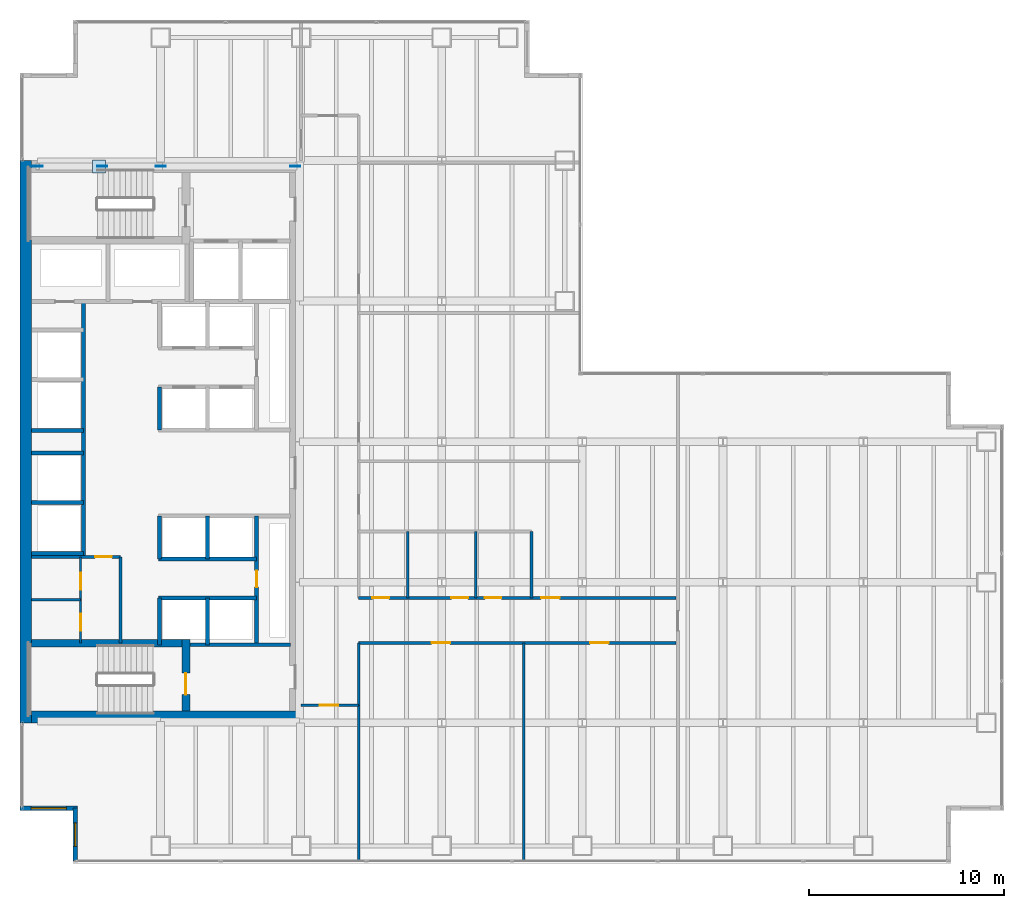
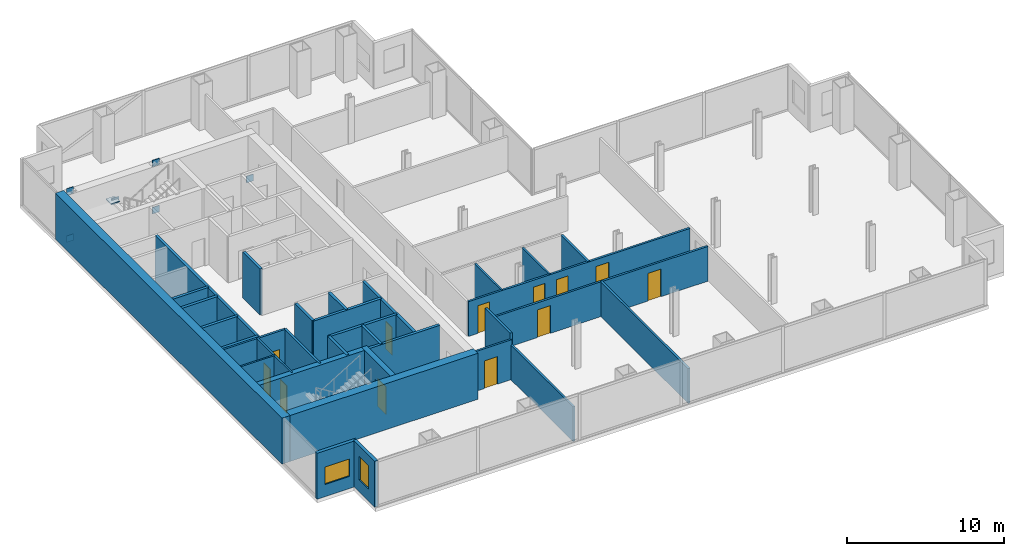
# One storey, part 20 of 23: 33 walls, 12 doors, 7 plates, 2 windows, 14 openings.
"""IFC4 building model written with IfcOpenShell, lengths in metres."""

from ifc_helpers import new_model, si_unit, direction, frame, frame_2d, origin, origin_2d, place, context, subcontext, project, spatial, rectangle, extrude, material, layer, layer_set, type_object, element, fill, save


model = new_model("IFC4")

# Units and contexts
model_context = context("Model", 3, precision=1e-05, world=origin(), true_north=direction((0.0, 1.0)))
body_context = subcontext(model_context, "Body", "Model", "MODEL_VIEW")
ifc_project = project(units=[si_unit("LENGTHUNIT", "METRE"), si_unit("AREAUNIT", "SQUARE_METRE"), si_unit("VOLUMEUNIT", "CUBIC_METRE"), si_unit("PLANEANGLEUNIT", "RADIAN"), si_unit("MASSUNIT", "GRAM", prefix="KILO")], contexts=[model_context])

# Site, building, storey
site_placement = place(None, origin())
site = spatial("IfcSite", under=ifc_project, at=site_placement, CompositionType="ELEMENT")
building_placement = place(site_placement, origin())
building = spatial("IfcBuilding", under=site, at=building_placement, Name="Cobrela Telecom Tower", CompositionType="ELEMENT")
storey_placement = place(building_placement, frame((0.0, 0.0, 65.800048828125)))
storey = spatial("IfcBuildingStorey", under=building, at=storey_placement, Name="L16", CompositionType="ELEMENT", Elevation=65.800048828125)

# Plates
ifc_material_1 = material(Name="Steel ASTM A572 Grade 50", Category="steel")
ifc_layer_1 = layer(ifc_material_1, 0.0419921875)
ifc_layer_set_1 = layer_set([ifc_layer_1], Name="Steel ASTM A572 Grade 50")
plate_type = type_object("IfcPlateType", Name="PLT-NODE-ND1", PredefinedType="USERDEFINED", material=ifc_layer_set_1)
for number, where, z_axis, x_axis, name in (
    (1, (0.89990234375, 35.699951171875, -0.294921875), (0.0, 0.0, 1.0), (1.0, 0.0, 0.0), "Steel node plate PLT-MBR-EXO-L16-N1-A-0"),
    (2, (7.199951171875, 35.699951171875, 3.35498046875), (0.0, 0.0, 1.0), (1.0, 0.0, 0.0), "Steel node plate PLT-MBR-EXO-L16-N1-A-1"),
    (3, (7.199951171875, 35.699951171875, -0.294921875), (0.0, 0.0, 1.0), (-1.0, 0.0, 0.0), "Steel node plate PLT-MBR-EXO-L16-N1-B1-0"),
    (4, (4.219482421875, 35.699951171875, 1.431640625), (0.0, 0.0, 1.0), (-1.0, 0.0, 0.0), "Steel node plate PLT-MBR-EXO-L16-N1-B1-1"),
    (5, (0.89990234375, 35.699951171875, 3.35498046875), (0.0, 0.0, 1.0), (-1.0, 0.0, 0.0), "Steel node plate PLT-MBR-EXO-L16-N1-B2-1"),
):
    element("IfcPlate", number, at=place(storey_placement, frame(where, z_axis=z_axis, x_axis=x_axis)), inside=storey, type_object=plate_type, Name=name, ObjectType="GUSSET PLATE", PredefinedType="USERDEFINED", context=body_context, shape_type="SweptSolid", body=[
        extrude(rectangle(XDim=0.510009765625, YDim=0.044921875, at=origin_2d()), origin(), (0.0, 0.0, 1.0), 0.510009765625),
    ])
plate_1_placement = place(storey_placement, frame((4.050048828125, 35.699951171875, 1.762451171875), z_axis=(0.0, 0.0, 1.0), x_axis=(1.0, 0.0, 0.0)))
element("IfcPlate", 6, at=plate_1_placement, inside=storey, type_object=plate_type, Name="L16 Core Flange Steel X-Brace Central X-Crossing Gusset Plate", ObjectType="GUSSET PLATE", PredefinedType="USERDEFINED", context=body_context, shape_type="SweptSolid", body=[
    extrude(rectangle(XDim=0.64990234375, YDim=0.64990234375, at=origin_2d()), origin(), (0.0, 0.0, 1.0), 0.044921875),
])
plate_2_placement = place(storey_placement, frame((14.10009765625, 35.699951171875, -0.294921875), z_axis=(0.0, 0.0, 1.0), x_axis=(-1.0, 0.0, 0.0)))
element("IfcPlate", 7, at=plate_2_placement, inside=storey, type_object=plate_type, Name="Steel node plate PLT-MBR-EXO-L16-N2-0", ObjectType="GUSSET PLATE", PredefinedType="USERDEFINED", context=body_context, shape_type="SweptSolid", body=[
    extrude(rectangle(XDim=0.510009765625, YDim=0.044921875, at=origin_2d()), origin(), (0.0, 0.0, 1.0), 0.510009765625),
])

# Walls
ifc_material_2 = material(Name="Concrete C50/60", Category="concrete")
ifc_layer_2 = layer(ifc_material_2, 0.60009765625)
ifc_layer_set_2 = layer_set([ifc_layer_2], Name="Concrete C50/60")
wall_type_1 = type_object("IfcWallType", Name="WALL-CORE-C50-600", PredefinedType="SHEAR", material=ifc_layer_set_2)
wall_1_placement = place(storey_placement, frame((0.300048828125, 7.199951171875, 0.0), z_axis=(0.0, 0.0, 1.0), x_axis=(0.0, 1.0, 0.0)))
element("IfcWall", 8, at=wall_1_placement, inside=storey, type_object=wall_type_1, Name="L16 West Core Shear Wall", PredefinedType="SHEAR", context=body_context, shape_type="SweptSolid", body=[
    extrude(rectangle(XDim=28.800048828125, YDim=0.60009765625, at=frame_2d((14.39990234375, 0.0))), origin(), (0.0, 0.0, 1.0), 3.570068359375),
])
wall_2_placement = place(storey_placement, frame((0.60009765625, 7.5, 0.0), z_axis=(0.0, 0.0, 1.0), x_axis=(1.0, 0.0, 0.0)))
element("IfcWall", 9, at=wall_2_placement, inside=storey, type_object=wall_type_1, Name="L16 South Core Shear Wall", PredefinedType="SHEAR", context=body_context, shape_type="SweptSolid", body=[
    extrude(rectangle(XDim=13.7998046875, YDim=0.60009765625, at=frame_2d((6.89990234375, 0.0))), origin(), (0.0, 0.0, 1.0), 3.570068359375),
])

# Wall, opening, window
ifc_material_3 = material(Name="Concrete C40/50", Category="concrete")
ifc_layer_3 = layer(ifc_material_3, 0.239990234375)
ifc_layer_set_3 = layer_set([ifc_layer_3], Name="Concrete C40/50")
wall_type_2 = type_object("IfcWallType", Name="WALL-EXT-300", PredefinedType="STANDARD", material=ifc_layer_set_3)
wall_3_placement = place(storey_placement, frame((2.830078125, 0.1201171875, 0.0), z_axis=(0.0, 0.0, 1.0), x_axis=(0.0, 1.0, 0.0)))
wall_3 = element("IfcWall", 10, at=wall_3_placement, inside=storey, type_object=wall_type_2, Name="L16 Insulated Facade Wall 01", PredefinedType="STANDARD", context=body_context, shape_type="SweptSolid", body=[
    extrude(rectangle(XDim=2.7099609375, YDim=0.239990234375, at=frame_2d((1.35498046875, 0.0))), origin(), (0.0, 0.0, 1.0), 3.570068359375),
])
opening_1_placement = place(wall_3_placement, frame((0.7548828125, 0.0, 0.949951171875)))
opening_1 = element("IfcOpeningElement", 11, at=opening_1_placement, cuts=wall_3, Name="Opening WN-19", PredefinedType="OPENING", context=body_context, shape_type="SweptSolid", body=[
    extrude(rectangle(XDim=1.199951171875, YDim=1.800048828125, at=frame_2d((0.60009765625, 0.89990234375))), frame((0.0, 0.1318359375, 0.0), z_axis=(0.0, -1.0, 0.0), x_axis=(1.0, 0.0, 0.0)), (0.0, 0.0, 1.0), 0.263916015625),
])
ifc_material_4 = material(Name="Solar-Control Bronze Low-E Glass", Category="glass")
window_type_1 = type_object("IfcWindowType", Name="WIN-MOD-1200", PartitioningType="SINGLE_PANEL", PredefinedType="WINDOW", material=ifc_material_4)
window_1_placement = place(opening_1_placement, origin())
window_1 = element("IfcWindow", 12, at=window_1_placement, inside=storey, type_object=window_type_1, Name="L16 Corner Notch Facade Window 070", OverallHeight=1.800048828125, OverallWidth=1.199951171875, PartitioningType="SINGLE_PANEL", PredefinedType="WINDOW", context=body_context, shape_type="SweptSolid", body=[
    extrude(rectangle(XDim=1.199951171875, YDim=1.800048828125, at=frame_2d((0.60009765625, 0.89990234375))), frame((0.0, 0.030029296875, 0.0), z_axis=(0.0, -1.0, 0.0), x_axis=(1.0, 0.0, 0.0)), (0.0, 0.0, 1.0), 0.06005859375),
])
fill(opening_1, window_1)

wall_4_placement = place(storey_placement, frame((2.949951171875, 2.830078125, 0.0), z_axis=(0.0, 0.0, 1.0), x_axis=(-1.0, 0.0, 0.0)))
wall_4 = element("IfcWall", 13, at=wall_4_placement, inside=storey, type_object=wall_type_2, Name="L16 Insulated Facade Wall 02", PredefinedType="STANDARD", context=body_context, shape_type="SweptSolid", body=[
    extrude(rectangle(XDim=2.949951171875, YDim=0.239990234375, at=frame_2d((1.47509765625, 0.0))), origin(), (0.0, 0.0, 1.0), 3.570068359375),
])
opening_2_placement = place(wall_4_placement, frame((0.574951171875, 0.0, 0.949951171875)))
opening_2 = element("IfcOpeningElement", 14, at=opening_2_placement, cuts=wall_4, Name="Opening WN-27", PredefinedType="OPENING", context=body_context, shape_type="SweptSolid", body=[
    extrude(rectangle(XDim=1.800048828125, YDim=1.35009765625, at=frame_2d((0.89990234375, 0.675048828125))), frame((0.0, 0.1318359375, 0.0), z_axis=(0.0, -1.0, 0.0), x_axis=(1.0, 0.0, 0.0)), (0.0, 0.0, 1.0), 0.263916015625),
])
window_type_2 = type_object("IfcWindowType", Name="WIN-CLER-1800", PartitioningType="SINGLE_PANEL", PredefinedType="WINDOW", material=ifc_material_4)
window_2_placement = place(opening_2_placement, origin())
window_2 = element("IfcWindow", 15, at=window_2_placement, inside=storey, type_object=window_type_2, Name="L16 Corner Notch Facade Window 071", OverallHeight=1.35009765625, OverallWidth=1.800048828125, PartitioningType="SINGLE_PANEL", PredefinedType="WINDOW", context=body_context, shape_type="SweptSolid", body=[
    extrude(rectangle(XDim=1.800048828125, YDim=1.35009765625, at=frame_2d((0.89990234375, 0.675048828125))), frame((0.0, 0.030029296875, 0.0), z_axis=(0.0, -1.0, 0.0), x_axis=(1.0, 0.0, 0.0)), (0.0, 0.0, 1.0), 0.06005859375),
])
fill(opening_2, window_2)

# Wall
ifc_material_5 = material(Name="Fire-Rated Gypsum Plasterboard")
ifc_layer_4 = layer(ifc_material_5, 0.125)
ifc_layer_set_4 = layer_set([ifc_layer_4], Name="Fire-Rated Gypsum Plasterboard")
wall_type_3 = type_object("IfcWallType", Name="WALL-PART-125", PredefinedType="PARTITIONING", material=ifc_layer_set_4)
wall_5_placement = place(storey_placement, frame((0.60009765625, 13.5, 0.0), z_axis=(0.0, 0.0, 1.0), x_axis=(1.0, 0.0, 0.0)))
element("IfcWall", 16, at=wall_5_placement, inside=storey, type_object=wall_type_3, Name="L16 Interior Partition CW-FK3-H", PredefinedType="PARTITIONING", context=body_context, shape_type="SweptSolid", body=[
    extrude(rectangle(XDim=2.5, YDim=0.125, at=frame_2d((1.25, 0.0))), origin(), (0.0, 0.0, 1.0), 3.570068359375),
])

# Wall, openings, doors
wall_6_placement = place(storey_placement, frame((3.10009765625, 11.280029296875, 0.0), z_axis=(0.0, 0.0, 1.0), x_axis=(0.0, 1.0, 0.0)))
wall_6 = element("IfcWall", 17, at=wall_6_placement, inside=storey, type_object=wall_type_3, Name="L16 Interior Partition CW-FK3-V", PredefinedType="PARTITIONING", context=body_context, shape_type="SweptSolid", body=[
    extrude(rectangle(XDim=4.419921875, YDim=0.125, at=frame_2d((2.2099609375, 0.0))), origin(), (0.0, 0.0, 1.0), 3.570068359375),
])
opening_3_placement = place(wall_6_placement, frame((0.64990234375, 0.0, 0.0)))
opening_3 = element("IfcOpeningElement", 18, at=opening_3_placement, cuts=wall_6, Name="Opening DR-11", PredefinedType="OPENING", context=body_context, shape_type="SweptSolid", body=[
    extrude(rectangle(XDim=0.85009765625, YDim=2.14990234375, at=frame_2d((0.425048828125, 1.074951171875))), frame((0.0, 0.074462890625, 0.0), z_axis=(0.0, -1.0, 0.0), x_axis=(1.0, 0.0, 0.0)), (0.0, 0.0, 1.0), 0.14892578125),
])
opening_4_placement = place(wall_6_placement, frame((2.75, 0.0, 0.0)))
opening_4 = element("IfcOpeningElement", 19, at=opening_4_placement, cuts=wall_6, Name="Opening DR-11", PredefinedType="OPENING", context=body_context, shape_type="SweptSolid", body=[
    extrude(rectangle(XDim=0.85009765625, YDim=2.14990234375, at=frame_2d((0.425048828125, 1.074951171875))), frame((0.0, 0.074462890625, 0.0), z_axis=(0.0, -1.0, 0.0), x_axis=(1.0, 0.0, 0.0)), (0.0, 0.0, 1.0), 0.14892578125),
])
ifc_material_6 = material(Name="Solid Engineered Oak Timber", Category="wood")
door_type_1 = type_object("IfcDoorType", Name="DOOR-INT-850", OperationType="SINGLE_SWING_LEFT", PredefinedType="DOOR", material=ifc_material_6)
door_1_placement = place(opening_3_placement, origin())
door_1 = element("IfcDoor", 20, at=door_1_placement, inside=storey, type_object=door_type_1, Name="L16 Door DR-11", OperationType="SINGLE_SWING_LEFT", OverallHeight=2.14990234375, OverallWidth=0.85009765625, PredefinedType="DOOR", context=body_context, shape_type="SweptSolid", body=[
    extrude(rectangle(XDim=0.85009765625, YDim=2.14990234375, at=frame_2d((0.425048828125, 1.074951171875))), frame((0.0, 0.02490234375, 0.0), z_axis=(0.0, -1.0, 0.0), x_axis=(1.0, 0.0, 0.0)), (0.0, 0.0, 1.0), 0.050048828125),
])
fill(opening_3, door_1)
door_2_placement = place(opening_4_placement, origin())
door_2 = element("IfcDoor", 21, at=door_2_placement, inside=storey, type_object=door_type_1, Name="L16 Door DR-11", OperationType="SINGLE_SWING_RIGHT", OverallHeight=2.14990234375, OverallWidth=0.85009765625, PredefinedType="DOOR", context=body_context, shape_type="SweptSolid", body=[
    extrude(rectangle(XDim=0.85009765625, YDim=2.14990234375, at=frame_2d((0.425048828125, 1.074951171875))), frame((0.0, 0.02490234375, 0.0), z_axis=(0.0, -1.0, 0.0), x_axis=(1.0, 0.0, 0.0)), (0.0, 0.0, 1.0), 0.050048828125),
])
fill(opening_4, door_2)

# Walls
for number, where, z_axis, x_axis, name in (
    (22, (19.85009765625, 13.60009765625, 0.0), (0.0, 0.0, 1.0), (0.0, 1.0, 0.0), "L16 Interior Partition W-WCV-1"),
    (23, (23.35009765625, 13.60009765625, 0.0), (0.0, 0.0, 1.0), (0.0, 1.0, 0.0), "L16 Interior Partition W-WCV-2"),
):
    element("IfcWall", number, at=place(storey_placement, frame(where, z_axis=z_axis, x_axis=x_axis)), inside=storey, type_object=wall_type_3, Name=name, PredefinedType="PARTITIONING", context=body_context, shape_type="SweptSolid", body=[
        extrude(rectangle(XDim=3.39990234375, YDim=0.125, at=frame_2d((1.699951171875, 0.0))), origin(), (0.0, 0.0, 1.0), 2.698974609375),
    ])

# Wall, opening, door
ifc_layer_5 = layer(ifc_material_5, 0.14990234375)
ifc_layer_set_5 = layer_set([ifc_layer_5], Name="Fire-Rated Gypsum Plasterboard")
wall_type_4 = type_object("IfcWallType", Name="WALL-PART-150", PredefinedType="PARTITIONING", material=ifc_layer_set_5)
wall_7_placement = place(storey_placement, frame((0.60009765625, 15.699951171875, 0.0), z_axis=(0.0, 0.0, 1.0), x_axis=(1.0, 0.0, 0.0)))
wall_7 = element("IfcWall", 24, at=wall_7_placement, inside=storey, type_object=wall_type_4, Name="L16 Interior Partition CW-FLEX-N", PredefinedType="PARTITIONING", context=body_context, shape_type="SweptSolid", body=[
    extrude(rectangle(XDim=4.5498046875, YDim=0.14990234375, at=frame_2d((2.27490234375, 0.0))), origin(), (0.0, 0.0, 1.0), 3.570068359375),
])
opening_5_placement = place(wall_7_placement, frame((3.25, 0.0, 0.0)))
opening_5 = element("IfcOpeningElement", 25, at=opening_5_placement, cuts=wall_7, Name="Opening DR-11", PredefinedType="OPENING", context=body_context, shape_type="SweptSolid", body=[
    extrude(rectangle(XDim=0.85009765625, YDim=2.14990234375, at=frame_2d((0.425048828125, 1.074951171875))), frame((0.0, 0.0869140625, 0.0), z_axis=(0.0, -1.0, 0.0), x_axis=(1.0, 0.0, 0.0)), (0.0, 0.0, 1.0), 0.173828125),
])
door_3_placement = place(opening_5_placement, origin())
door_3 = element("IfcDoor", 26, at=door_3_placement, inside=storey, type_object=door_type_1, Name="L16 Door DR-11", OperationType="SINGLE_SWING_LEFT", OverallHeight=2.14990234375, OverallWidth=0.85009765625, PredefinedType="DOOR", context=body_context, shape_type="SweptSolid", body=[
    extrude(rectangle(XDim=0.85009765625, YDim=2.14990234375, at=frame_2d((0.425048828125, 1.074951171875))), frame((0.0, 0.02490234375, 0.0), z_axis=(0.0, -1.0, 0.0), x_axis=(1.0, 0.0, 0.0)), (0.0, 0.0, 1.0), 0.050048828125),
])
fill(opening_5, door_3)

# Wall
wall_8_placement = place(storey_placement, frame((5.14990234375, 11.280029296875, 0.0), z_axis=(0.0, 0.0, 1.0), x_axis=(0.0, 1.0, 0.0)))
element("IfcWall", 27, at=wall_8_placement, inside=storey, type_object=wall_type_4, Name="L16 Interior Partition CW-FLEX-E", PredefinedType="PARTITIONING", context=body_context, shape_type="SweptSolid", body=[
    extrude(rectangle(XDim=4.419921875, YDim=0.14990234375, at=frame_2d((2.2099609375, 0.0))), origin(), (0.0, 0.0, 1.0), 3.570068359375),
])

# Wall, opening, door
wall_9_placement = place(storey_placement, frame((14.39990234375, 8.10009765625, 0.0), z_axis=(0.0, 0.0, 1.0), x_axis=(1.0, 0.0, 0.0)))
wall_9 = element("IfcWall", 28, at=wall_9_placement, inside=storey, type_object=wall_type_4, Name="L16 Interior Partition W-C-S0", PredefinedType="PARTITIONING", context=body_context, shape_type="SweptSolid", body=[
    extrude(rectangle(XDim=2.9501953125, YDim=0.14990234375, at=frame_2d((1.47509765625, 0.0))), origin(), (0.0, 0.0, 1.0), 3.087890625),
])
opening_6_placement = place(wall_9_placement, frame((0.949951171875, 0.0, 0.0)))
opening_6 = element("IfcOpeningElement", 29, at=opening_6_placement, cuts=wall_9, Name="Opening DR-67", PredefinedType="OPENING", context=body_context, shape_type="SweptSolid", body=[
    extrude(rectangle(XDim=0.949951171875, YDim=2.14990234375, at=frame_2d((0.47509765625, 1.074951171875))), frame((0.0, 0.0869140625, 0.0), z_axis=(0.0, -1.0, 0.0), x_axis=(1.0, 0.0, 0.0)), (0.0, 0.0, 1.0), 0.173828125),
])
door_type_2 = type_object("IfcDoorType", Name="DOOR-INT-950", OperationType="SINGLE_SWING_LEFT", PredefinedType="DOOR", material=ifc_material_6)
door_4_placement = place(opening_6_placement, origin())
door_4 = element("IfcDoor", 30, at=door_4_placement, inside=storey, type_object=door_type_2, Name="L16 Door DR-67", OperationType="SINGLE_SWING_RIGHT", OverallHeight=2.14990234375, OverallWidth=0.949951171875, PredefinedType="DOOR", context=body_context, shape_type="SweptSolid", body=[
    extrude(rectangle(XDim=0.949951171875, YDim=2.14990234375, at=frame_2d((0.47509765625, 1.074951171875))), frame((0.0, 0.02490234375, 0.0), z_axis=(0.0, -1.0, 0.0), x_axis=(1.0, 0.0, 0.0)), (0.0, 0.0, 1.0), 0.050048828125),
])
fill(opening_6, door_4)

# Wall
wall_10_placement = place(storey_placement, frame((17.35009765625, 8.10009765625, 0.0), z_axis=(0.0, 0.0, 1.0), x_axis=(0.0, 1.0, 0.0)))
element("IfcWall", 31, at=wall_10_placement, inside=storey, type_object=wall_type_4, Name="L16 Interior Partition W-C-E1", PredefinedType="PARTITIONING", context=body_context, shape_type="SweptSolid", body=[
    extrude(rectangle(XDim=3.199951171875, YDim=0.14990234375, at=frame_2d((1.60009765625, 0.0))), origin(), (0.0, 0.0, 1.0), 3.570068359375),
])

# Wall, openings, doors
wall_11_placement = place(storey_placement, frame((17.35009765625, 11.300048828125, 0.0), z_axis=(0.0, 0.0, 1.0), x_axis=(1.0, 0.0, 0.0)))
wall_11 = element("IfcWall", 32, at=wall_11_placement, inside=storey, type_object=wall_type_4, Name="L16 Interior Partition W-C-HS", PredefinedType="PARTITIONING", context=body_context, shape_type="SweptSolid", body=[
    extrude(rectangle(XDim=16.25, YDim=0.14990234375, at=frame_2d((8.125, 0.0))), origin(), (0.0, 0.0, 1.0), 2.698974609375),
])
opening_7_placement = place(wall_11_placement, frame((3.72998046875, 0.0, 0.0)))
opening_7 = element("IfcOpeningElement", 33, at=opening_7_placement, cuts=wall_11, Name="Opening DR-67", PredefinedType="OPENING", context=body_context, shape_type="SweptSolid", body=[
    extrude(rectangle(XDim=0.949951171875, YDim=2.14990234375, at=frame_2d((0.47509765625, 1.074951171875))), frame((0.0, 0.0869140625, 0.0), z_axis=(0.0, -1.0, 0.0), x_axis=(1.0, 0.0, 0.0)), (0.0, 0.0, 1.0), 0.173828125),
])
opening_8_placement = place(wall_11_placement, frame((11.85009765625, 0.0, 0.0)))
opening_8 = element("IfcOpeningElement", 34, at=opening_8_placement, cuts=wall_11, Name="Opening DR-67", PredefinedType="OPENING", context=body_context, shape_type="SweptSolid", body=[
    extrude(rectangle(XDim=0.949951171875, YDim=2.14990234375, at=frame_2d((0.47509765625, 1.074951171875))), frame((0.0, 0.0869140625, 0.0), z_axis=(0.0, -1.0, 0.0), x_axis=(1.0, 0.0, 0.0)), (0.0, 0.0, 1.0), 0.173828125),
])
door_5_placement = place(opening_7_placement, origin())
door_5 = element("IfcDoor", 35, at=door_5_placement, inside=storey, type_object=door_type_2, Name="L16 Door DR-67", OperationType="SINGLE_SWING_LEFT", OverallHeight=2.14990234375, OverallWidth=0.949951171875, PredefinedType="DOOR", context=body_context, shape_type="SweptSolid", body=[
    extrude(rectangle(XDim=0.949951171875, YDim=2.14990234375, at=frame_2d((0.47509765625, 1.074951171875))), frame((0.0, 0.02490234375, 0.0), z_axis=(0.0, -1.0, 0.0), x_axis=(1.0, 0.0, 0.0)), (0.0, 0.0, 1.0), 0.050048828125),
])
fill(opening_7, door_5)
door_6_placement = place(opening_8_placement, origin())
door_6 = element("IfcDoor", 36, at=door_6_placement, inside=storey, type_object=door_type_2, Name="L16 Door DR-67", OperationType="SINGLE_SWING_RIGHT", OverallHeight=2.14990234375, OverallWidth=0.949951171875, PredefinedType="DOOR", context=body_context, shape_type="SweptSolid", body=[
    extrude(rectangle(XDim=0.949951171875, YDim=2.14990234375, at=frame_2d((0.47509765625, 1.074951171875))), frame((0.0, 0.02490234375, 0.0), z_axis=(0.0, -1.0, 0.0), x_axis=(1.0, 0.0, 0.0)), (0.0, 0.0, 1.0), 0.050048828125),
])
fill(opening_8, door_6)

wall_12_placement = place(storey_placement, frame((17.35009765625, 13.60009765625, 0.0), z_axis=(0.0, 0.0, 1.0), x_axis=(1.0, 0.0, 0.0)))
wall_12 = element("IfcWall", 37, at=wall_12_placement, inside=storey, type_object=wall_type_4, Name="L16 Interior Partition W-C-HN", PredefinedType="PARTITIONING", context=body_context, shape_type="SweptSolid", body=[
    extrude(rectangle(XDim=16.25, YDim=0.14990234375, at=frame_2d((8.125, 0.0))), origin(), (0.0, 0.0, 1.0), 2.698974609375),
])
opening_9_placement = place(wall_12_placement, frame((0.699951171875, 0.0, 0.0)))
opening_9 = element("IfcOpeningElement", 38, at=opening_9_placement, cuts=wall_12, Name="Opening DR-11", PredefinedType="OPENING", context=body_context, shape_type="SweptSolid", body=[
    extrude(rectangle(XDim=0.85009765625, YDim=2.14990234375, at=frame_2d((0.425048828125, 1.074951171875))), frame((0.0, 0.0869140625, 0.0), z_axis=(0.0, -1.0, 0.0), x_axis=(1.0, 0.0, 0.0)), (0.0, 0.0, 1.0), 0.173828125),
])
opening_10_placement = place(wall_12_placement, frame((4.75, 0.0, 0.0)))
opening_10 = element("IfcOpeningElement", 39, at=opening_10_placement, cuts=wall_12, Name="Opening DR-11", PredefinedType="OPENING", context=body_context, shape_type="SweptSolid", body=[
    extrude(rectangle(XDim=0.85009765625, YDim=2.14990234375, at=frame_2d((0.425048828125, 1.074951171875))), frame((0.0, 0.0869140625, 0.0), z_axis=(0.0, -1.0, 0.0), x_axis=(1.0, 0.0, 0.0)), (0.0, 0.0, 1.0), 0.173828125),
])
opening_11_placement = place(wall_12_placement, frame((6.4599609375, 0.0, 0.0)))
opening_11 = element("IfcOpeningElement", 40, at=opening_11_placement, cuts=wall_12, Name="Opening DR-11", PredefinedType="OPENING", context=body_context, shape_type="SweptSolid", body=[
    extrude(rectangle(XDim=0.85009765625, YDim=2.14990234375, at=frame_2d((0.425048828125, 1.074951171875))), frame((0.0, 0.0869140625, 0.0), z_axis=(0.0, -1.0, 0.0), x_axis=(1.0, 0.0, 0.0)), (0.0, 0.0, 1.0), 0.173828125),
])
opening_12_placement = place(wall_12_placement, frame((9.340087890625, 0.0, 0.0)))
opening_12 = element("IfcOpeningElement", 41, at=opening_12_placement, cuts=wall_12, Name="Opening DR-67", PredefinedType="OPENING", context=body_context, shape_type="SweptSolid", body=[
    extrude(rectangle(XDim=0.949951171875, YDim=2.14990234375, at=frame_2d((0.47509765625, 1.074951171875))), frame((0.0, 0.0869140625, 0.0), z_axis=(0.0, -1.0, 0.0), x_axis=(1.0, 0.0, 0.0)), (0.0, 0.0, 1.0), 0.173828125),
])
door_7_placement = place(opening_9_placement, origin())
door_7 = element("IfcDoor", 42, at=door_7_placement, inside=storey, type_object=door_type_1, Name="L16 Door DR-11", OperationType="SINGLE_SWING_LEFT", OverallHeight=2.14990234375, OverallWidth=0.85009765625, PredefinedType="DOOR", context=body_context, shape_type="SweptSolid", body=[
    extrude(rectangle(XDim=0.85009765625, YDim=2.14990234375, at=frame_2d((0.425048828125, 1.074951171875))), frame((0.0, 0.02490234375, 0.0), z_axis=(0.0, -1.0, 0.0), x_axis=(1.0, 0.0, 0.0)), (0.0, 0.0, 1.0), 0.050048828125),
])
fill(opening_9, door_7)
door_8_placement = place(opening_10_placement, origin())
door_8 = element("IfcDoor", 43, at=door_8_placement, inside=storey, type_object=door_type_1, Name="L16 Door DR-11", OperationType="SINGLE_SWING_RIGHT", OverallHeight=2.14990234375, OverallWidth=0.85009765625, PredefinedType="DOOR", context=body_context, shape_type="SweptSolid", body=[
    extrude(rectangle(XDim=0.85009765625, YDim=2.14990234375, at=frame_2d((0.425048828125, 1.074951171875))), frame((0.0, 0.02490234375, 0.0), z_axis=(0.0, -1.0, 0.0), x_axis=(1.0, 0.0, 0.0)), (0.0, 0.0, 1.0), 0.050048828125),
])
fill(opening_10, door_8)
door_9_placement = place(opening_11_placement, origin())
door_9 = element("IfcDoor", 44, at=door_9_placement, inside=storey, type_object=door_type_1, Name="L16 Door DR-11", OperationType="SINGLE_SWING_LEFT", OverallHeight=2.14990234375, OverallWidth=0.85009765625, PredefinedType="DOOR", context=body_context, shape_type="SweptSolid", body=[
    extrude(rectangle(XDim=0.85009765625, YDim=2.14990234375, at=frame_2d((0.425048828125, 1.074951171875))), frame((0.0, 0.02490234375, 0.0), z_axis=(0.0, -1.0, 0.0), x_axis=(1.0, 0.0, 0.0)), (0.0, 0.0, 1.0), 0.050048828125),
])
fill(opening_11, door_9)
door_10_placement = place(opening_12_placement, origin())
door_10 = element("IfcDoor", 45, at=door_10_placement, inside=storey, type_object=door_type_2, Name="L16 Door DR-67", OperationType="SINGLE_SWING_RIGHT", OverallHeight=2.14990234375, OverallWidth=0.949951171875, PredefinedType="DOOR", context=body_context, shape_type="SweptSolid", body=[
    extrude(rectangle(XDim=0.949951171875, YDim=2.14990234375, at=frame_2d((0.47509765625, 1.074951171875))), frame((0.0, 0.02490234375, 0.0), z_axis=(0.0, -1.0, 0.0), x_axis=(1.0, 0.0, 0.0)), (0.0, 0.0, 1.0), 0.050048828125),
])
fill(opening_12, door_10)

# Walls
wall_13_placement = place(storey_placement, frame((26.199951171875, 13.60009765625, 0.0), z_axis=(0.0, 0.0, 1.0), x_axis=(0.0, 1.0, 0.0)))
element("IfcWall", 46, at=wall_13_placement, inside=storey, type_object=wall_type_4, Name="L16 Interior Partition W-WC-R", PredefinedType="PARTITIONING", context=body_context, shape_type="SweptSolid", body=[
    extrude(rectangle(XDim=3.39990234375, YDim=0.14990234375, at=frame_2d((1.699951171875, 0.0))), origin(), (0.0, 0.0, 1.0), 2.698974609375),
])
wall_14_placement = place(storey_placement, frame((17.35009765625, 0.1201171875, 0.0), z_axis=(0.0, 0.0, 1.0), x_axis=(0.0, 1.0, 0.0)))
element("IfcWall", 47, at=wall_14_placement, inside=storey, type_object=wall_type_4, Name="L16 Interior Partition W-SW-E", PredefinedType="PARTITIONING", context=body_context, shape_type="SweptSolid", body=[
    extrude(rectangle(XDim=7.97998046875, YDim=0.14990234375, at=frame_2d((3.989990234375, 0.0))), origin(), (0.0, 0.0, 1.0), 2.698974609375),
])
wall_15_placement = place(storey_placement, frame((25.800048828125, 0.1201171875, 0.0), z_axis=(0.0, 0.0, 1.0), x_axis=(0.0, 1.0, 0.0)))
element("IfcWall", 48, at=wall_15_placement, inside=storey, type_object=wall_type_4, Name="L16 Interior Partition W-SV-1", PredefinedType="PARTITIONING", context=body_context, shape_type="SweptSolid", body=[
    extrude(rectangle(XDim=11.179931640625, YDim=0.14990234375, at=frame_2d((5.58984375, 0.0))), origin(), (0.0, 0.0, 1.0), 2.698974609375),
])
ifc_layer_6 = layer(ifc_material_5, 0.199951171875)
ifc_layer_set_6 = layer_set([ifc_layer_6], Name="Fire-Rated Gypsum Plasterboard")
wall_type_5 = type_object("IfcWallType", Name="WALL-SHAFT-200", PredefinedType="PARTITIONING", material=ifc_layer_set_6)
wall_16_placement = place(storey_placement, frame((8.699951171875, 11.199951171875, 0.0), z_axis=(0.0, 0.0, 1.0), x_axis=(1.0, 0.0, 0.0)))
element("IfcWall", 49, at=wall_16_placement, inside=storey, type_object=wall_type_5, Name="L16 Shaft Enclosure CW-ST2L-N", PredefinedType="PARTITIONING", context=body_context, shape_type="SweptSolid", body=[
    extrude(rectangle(XDim=5.150146484375, YDim=0.199951171875, at=frame_2d((2.5751953125, 0.0))), origin(), (0.0, 0.0, 1.0), 3.570068359375),
])
wall_17_placement = place(storey_placement, frame((3.25, 15.699951171875, 0.0), z_axis=(0.0, 0.0, 1.0), x_axis=(0.0, 1.0, 0.0)))
element("IfcWall", 50, at=wall_17_placement, inside=storey, type_object=wall_type_5, Name="L16 Shaft Enclosure CW-PLH-E", PredefinedType="PARTITIONING", context=body_context, shape_type="SweptSolid", body=[
    extrude(rectangle(XDim=13.080078125, YDim=0.199951171875, at=frame_2d((6.5400390625, 0.0))), origin(), (0.0, 0.0, 1.0), 3.570068359375),
])
for number, where, z_axis, x_axis, name in (
    (51, (0.60009765625, 15.8798828125, 0.0), (0.0, 0.0, 1.0), (1.0, 0.0, 0.0), "L16 Shaft Enclosure CW-PLH-D9"),
    (52, (0.60009765625, 18.47998046875, 0.0), (0.0, 0.0, 1.0), (1.0, 0.0, 0.0), "L16 Shaft Enclosure CW-PLH-D10"),
    (53, (0.60009765625, 22.179931640625, 0.0), (0.0, 0.0, 1.0), (1.0, 0.0, 0.0), "L16 Shaft Enclosure CW-PLH-D11"),
    (54, (0.60009765625, 21.02001953125, 0.0), (0.0, 0.0, 1.0), (1.0, 0.0, 0.0), "L16 Shaft Enclosure CW-PLH-MID"),
):
    element("IfcWall", number, at=place(storey_placement, frame(where, z_axis=z_axis, x_axis=x_axis)), inside=storey, type_object=wall_type_5, Name=name, PredefinedType="PARTITIONING", context=body_context, shape_type="SweptSolid", body=[
        extrude(rectangle(XDim=2.64990234375, YDim=0.199951171875, at=frame_2d((1.324951171875, 0.0))), origin(), (0.0, 0.0, 1.0), 3.570068359375),
    ])
wall_18_placement = place(storey_placement, frame((7.14990234375, 22.199951171875, 0.0), z_axis=(0.0, 0.0, 1.0), x_axis=(0.0, 1.0, 0.0)))
element("IfcWall", 55, at=wall_18_placement, inside=storey, type_object=wall_type_5, Name="L16 Shaft Enclosure CW-PLL-V1", PredefinedType="PARTITIONING", context=body_context, shape_type="SweptSolid", body=[
    extrude(rectangle(XDim=2.199951171875, YDim=0.199951171875, at=frame_2d((1.10009765625, 0.0))), origin(), (0.0, 0.0, 1.0), 3.570068359375),
])
for number, where, z_axis, x_axis, name in (
    (56, (7.10009765625, 15.60009765625, 0.0), (0.0, 0.0, 1.0), (1.0, 0.0, 0.0), "L16 Shaft Enclosure CW-PLM-N"),
    (57, (7.10009765625, 13.60009765625, 0.0), (0.0, 0.0, 1.0), (1.0, 0.0, 0.0), "L16 Shaft Enclosure CW-PLM-S"),
):
    element("IfcWall", number, at=place(storey_placement, frame(where, z_axis=z_axis, x_axis=x_axis)), inside=storey, type_object=wall_type_5, Name=name, PredefinedType="PARTITIONING", context=body_context, shape_type="SweptSolid", body=[
        extrude(rectangle(XDim=5.02001953125, YDim=0.199951171875, at=frame_2d((2.510009765625, 0.0))), origin(), (0.0, 0.0, 1.0), 3.570068359375),
    ])
wall_19_placement = place(storey_placement, frame((7.14990234375, 15.60009765625, 0.0), z_axis=(0.0, 0.0, 1.0), x_axis=(0.0, 1.0, 0.0)))
element("IfcWall", 58, at=wall_19_placement, inside=storey, type_object=wall_type_5, Name="L16 Shaft Enclosure CW-PLM-V1", PredefinedType="PARTITIONING", context=body_context, shape_type="SweptSolid", body=[
    extrude(rectangle(XDim=2.199951171875, YDim=0.199951171875, at=frame_2d((1.10009765625, 0.0))), origin(), (0.0, 0.0, 1.0), 3.570068359375),
])
wall_20_placement = place(storey_placement, frame((7.14990234375, 11.199951171875, 0.0), z_axis=(0.0, 0.0, 1.0), x_axis=(0.0, 1.0, 0.0)))
element("IfcWall", 59, at=wall_20_placement, inside=storey, type_object=wall_type_5, Name="L16 Shaft Enclosure CW-PLM-V1B", PredefinedType="PARTITIONING", context=body_context, shape_type="SweptSolid", body=[
    extrude(rectangle(XDim=2.400146484375, YDim=0.199951171875, at=frame_2d((1.2001953125, 0.0))), origin(), (0.0, 0.0, 1.0), 3.570068359375),
])
wall_21_placement = place(storey_placement, frame((9.60009765625, 15.60009765625, 0.0), z_axis=(0.0, 0.0, 1.0), x_axis=(0.0, 1.0, 0.0)))
element("IfcWall", 60, at=wall_21_placement, inside=storey, type_object=wall_type_5, Name="L16 Shaft Enclosure CW-PLM-V2", PredefinedType="PARTITIONING", context=body_context, shape_type="SweptSolid", body=[
    extrude(rectangle(XDim=2.199951171875, YDim=0.199951171875, at=frame_2d((1.10009765625, 0.0))), origin(), (0.0, 0.0, 1.0), 3.570068359375),
])
wall_22_placement = place(storey_placement, frame((9.60009765625, 11.199951171875, 0.0), z_axis=(0.0, 0.0, 1.0), x_axis=(0.0, 1.0, 0.0)))
element("IfcWall", 61, at=wall_22_placement, inside=storey, type_object=wall_type_5, Name="L16 Shaft Enclosure CW-PLM-V2B", PredefinedType="PARTITIONING", context=body_context, shape_type="SweptSolid", body=[
    extrude(rectangle(XDim=2.400146484375, YDim=0.199951171875, at=frame_2d((1.2001953125, 0.0))), origin(), (0.0, 0.0, 1.0), 3.570068359375),
])

# Wall, opening, door
wall_23_placement = place(storey_placement, frame((12.1201171875, 11.199951171875, 0.0), z_axis=(0.0, 0.0, 1.0), x_axis=(0.0, 1.0, 0.0)))
wall_23 = element("IfcWall", 62, at=wall_23_placement, inside=storey, type_object=wall_type_5, Name="L16 Shaft Enclosure CW-PLM-V3", PredefinedType="PARTITIONING", context=body_context, shape_type="SweptSolid", body=[
    extrude(rectangle(XDim=6.60009765625, YDim=0.199951171875, at=frame_2d((3.300048828125, 0.0))), origin(), (0.0, 0.0, 1.0), 3.570068359375),
])
opening_13_placement = place(wall_23_placement, frame((2.949951171875, 0.0, 0.0)))
opening_13 = element("IfcOpeningElement", 63, at=opening_13_placement, cuts=wall_23, Name="Opening DR-11", PredefinedType="OPENING", context=body_context, shape_type="SweptSolid", body=[
    extrude(rectangle(XDim=0.85009765625, YDim=2.14990234375, at=frame_2d((0.425048828125, 1.074951171875))), frame((0.0, 0.11181640625, 0.0), z_axis=(0.0, -1.0, 0.0), x_axis=(1.0, 0.0, 0.0)), (0.0, 0.0, 1.0), 0.223876953125),
])
door_11_placement = place(opening_13_placement, origin())
door_11 = element("IfcDoor", 64, at=door_11_placement, inside=storey, type_object=door_type_1, Name="L16 Door DR-11", OperationType="SINGLE_SWING_RIGHT", OverallHeight=2.14990234375, OverallWidth=0.85009765625, PredefinedType="DOOR", context=body_context, shape_type="SweptSolid", body=[
    extrude(rectangle(XDim=0.85009765625, YDim=2.14990234375, at=frame_2d((0.425048828125, 1.074951171875))), frame((0.0, 0.02490234375, 0.0), z_axis=(0.0, -1.0, 0.0), x_axis=(1.0, 0.0, 0.0)), (0.0, 0.0, 1.0), 0.050048828125),
])
fill(opening_13, door_11)

# Wall
ifc_layer_7 = layer(ifc_material_3, 0.39990234375)
ifc_layer_set_7 = layer_set([ifc_layer_7], Name="Concrete C40/50")
wall_type_6 = type_object("IfcWallType", Name="WALL-SHAFT-C40-400", PredefinedType="SHEAR", material=ifc_layer_set_7)
wall_24_placement = place(storey_placement, frame((0.60009765625, 11.280029296875, 0.0), z_axis=(0.0, 0.0, 1.0), x_axis=(1.0, 0.0, 0.0)))
element("IfcWall", 65, at=wall_24_placement, inside=storey, type_object=wall_type_6, Name="L16 South Stair Shear Wall", PredefinedType="SHEAR", context=body_context, shape_type="SweptSolid", body=[
    extrude(rectangle(XDim=7.699951171875, YDim=0.39990234375, at=frame_2d((3.85009765625, 0.0))), origin(), (0.0, 0.0, 1.0), 3.570068359375),
])

# Wall, opening, door
wall_25_placement = place(storey_placement, frame((8.5, 7.800048828125, 0.0), z_axis=(0.0, 0.0, 1.0), x_axis=(0.0, 1.0, 0.0)))
wall_25 = element("IfcWall", 66, at=wall_25_placement, inside=storey, type_object=wall_type_6, Name="L16 South Stair Lobby Shear Wall", PredefinedType="SHEAR", context=body_context, shape_type="SweptSolid", body=[
    extrude(rectangle(XDim=3.679931640625, YDim=0.39990234375, at=frame_2d((1.83984375, 0.0))), origin(), (0.0, 0.0, 1.0), 3.570068359375),
])
opening_14_placement = place(wall_25_placement, frame((0.85009765625, 0.0, 0.0)))
opening_14 = element("IfcOpeningElement", 67, at=opening_14_placement, cuts=wall_25, Name="Opening FD-90", PredefinedType="OPENING", context=body_context, shape_type="SweptSolid", body=[
    extrude(rectangle(XDim=1.10009765625, YDim=2.14990234375, at=frame_2d((0.550048828125, 1.074951171875))), frame((0.0, 0.2119140625, 0.0), z_axis=(0.0, -1.0, 0.0), x_axis=(1.0, 0.0, 0.0)), (0.0, 0.0, 1.0), 0.423828125),
])
ifc_material_7 = material(Name="Steel ASTM A36", Category="steel")
door_type_3 = type_object("IfcDoorType", Name="DOOR-FD90-1100", OperationType="SINGLE_SWING_LEFT", PredefinedType="DOOR", material=ifc_material_7)
door_12_placement = place(opening_14_placement, origin())
door_12 = element("IfcDoor", 68, at=door_12_placement, inside=storey, type_object=door_type_3, Name="L16 Door FD-90", OperationType="SINGLE_SWING_LEFT", OverallHeight=2.14990234375, OverallWidth=1.10009765625, PredefinedType="DOOR", context=body_context, shape_type="SweptSolid", body=[
    extrude(rectangle(XDim=1.10009765625, YDim=2.14990234375, at=frame_2d((0.550048828125, 1.074951171875))), frame((0.0, 0.02490234375, 0.0), z_axis=(0.0, -1.0, 0.0), x_axis=(1.0, 0.0, 0.0)), (0.0, 0.0, 1.0), 0.050048828125),
])
fill(opening_14, door_12)

save(model, "model.ifc")
